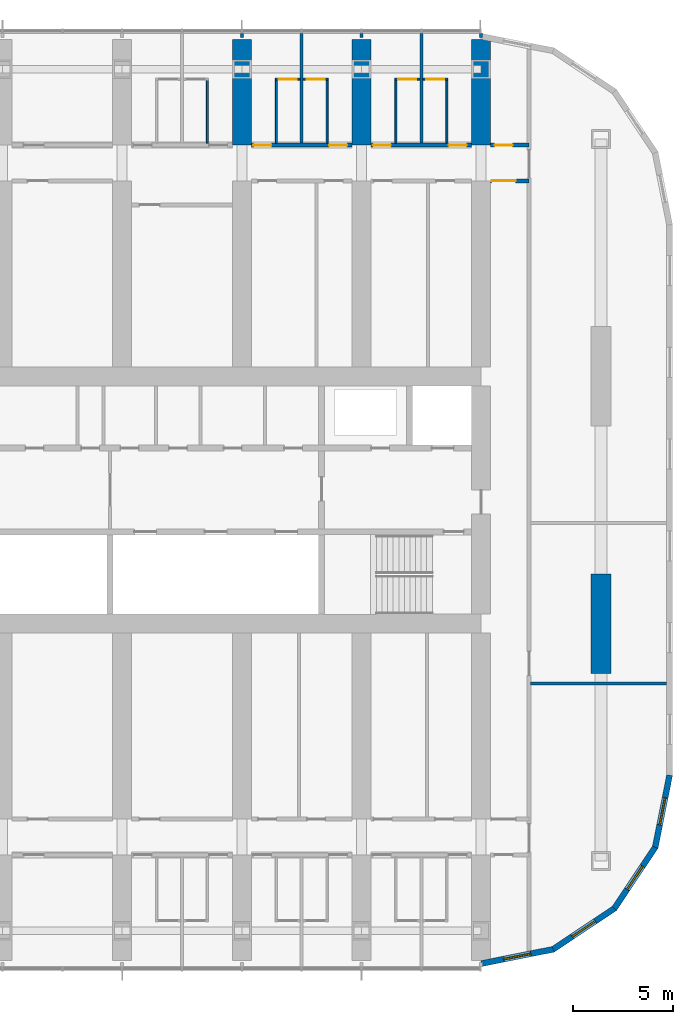
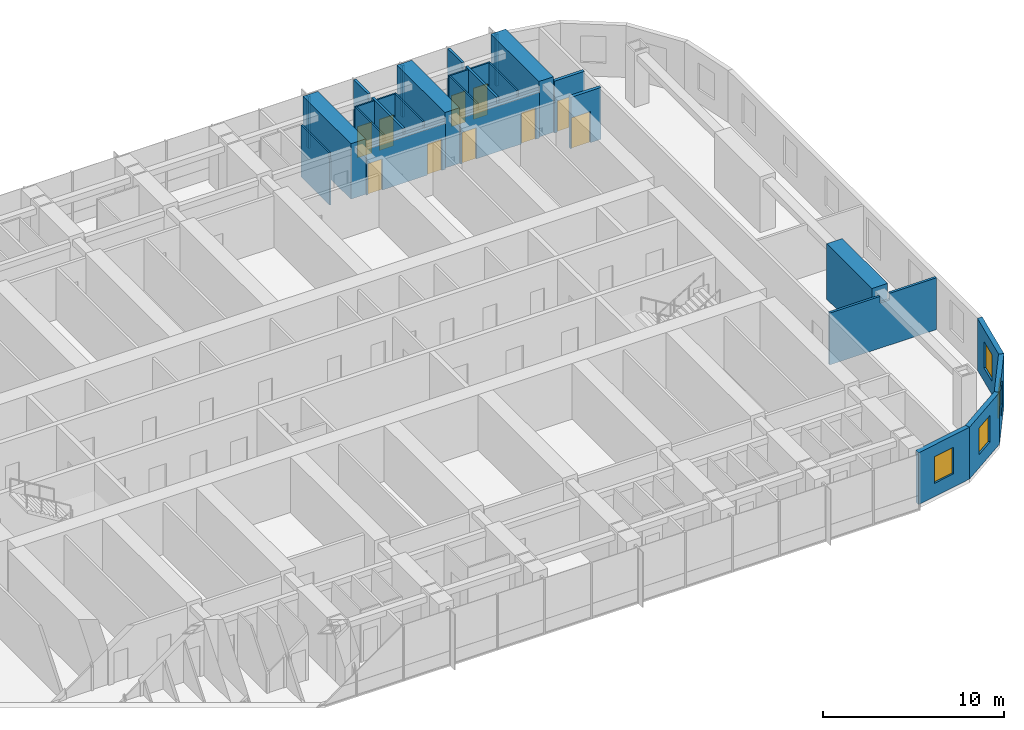
# One storey, part 16 of 22: 27 walls, 10 doors, 4 windows, 14 openings.
"""IFC4 building model written with IfcOpenShell, lengths in metres."""

from ifc_helpers import new_model, si_unit, direction, frame, frame_2d, origin, place, context, subcontext, project, spatial, polyline, rectangle, outline, extrude, material, layer, layer_set, type_object, element, fill, save


model = new_model("IFC4")

# Units and contexts
model_context = context("Model", 3, precision=1e-05, world=origin(), true_north=direction((0.0, 1.0)))
body_context = subcontext(model_context, "Body", "Model", "MODEL_VIEW")
ifc_project = project(units=[si_unit("LENGTHUNIT", "METRE"), si_unit("AREAUNIT", "SQUARE_METRE"), si_unit("VOLUMEUNIT", "CUBIC_METRE"), si_unit("PLANEANGLEUNIT", "RADIAN"), si_unit("MASSUNIT", "GRAM", prefix="KILO")], contexts=[model_context])

# Site, building, storey
site_placement = place(None, origin())
site = spatial("IfcSite", under=ifc_project, at=site_placement, CompositionType="ELEMENT")
building_placement = place(site_placement, origin())
building = spatial("IfcBuilding", under=site, at=building_placement, Name="Orbita Commons", CompositionType="ELEMENT")
storey_placement = place(building_placement, frame((0.0, 0.0, 121.89990234375)))
storey = spatial("IfcBuildingStorey", under=building, at=storey_placement, Name="L30", CompositionType="ELEMENT", Elevation=121.89990234375)

# Wall, openings, doors
ifc_material_1 = material(Name="Concrete blockwork", Category="masonry")
ifc_layer_1 = layer(ifc_material_1, 0.199951171875)
ifc_layer_set_1 = layer_set([ifc_layer_1], Name="Concrete blockwork")
wall_type_1 = type_object("IfcWallType", Name="Corridor wall 200 blockwork", PredefinedType="SOLIDWALL", material=ifc_layer_set_1)
wall_1_placement = place(storey_placement, frame((54.47509765625, 49.800048828125, 0.0), z_axis=(0.0, 0.0, 1.0), x_axis=(1.0, 0.0, 0.0)))
wall_1 = element("IfcWall", 1, at=wall_1_placement, inside=storey, type_object=wall_type_1, Name="Corridor wall 200 blockwork L30", PredefinedType="SOLIDWALL", context=body_context, shape_type="SweptSolid", body=[
    extrude(outline(polyline([(0.0, 0.0), (5.0498046875, 0.0), (5.050048828125, 3.10009765625), (0.0, 3.10009765625), (0.0, 0.0)])), frame((0.0, 0.10009765625, 0.0), z_axis=(0.0, -1.0, 0.0), x_axis=(1.0, 0.0, 0.0)), (0.0, 0.0, 1.0), 0.199951171875),
])
opening_1_placement = place(wall_1_placement, frame((0.10009765625, 0.0, 0.0)))
opening_1 = element("IfcOpeningElement", 2, at=opening_1_placement, cuts=wall_1, Name="Opening D11", PredefinedType="OPENING", context=body_context, shape_type="SweptSolid", body=[
    extrude(rectangle(XDim=0.89990234375, YDim=2.10009765625, at=frame_2d((0.449951171875, 1.050048828125))), frame((0.0, 0.10986328125, 0.0), z_axis=(0.0, -1.0, 0.0), x_axis=(1.0, 0.0, 0.0)), (0.0, 0.0, 1.0), 0.219970703125),
])
opening_2_placement = place(wall_1_placement, frame((3.89990234375, 0.0, 0.0)))
opening_2 = element("IfcOpeningElement", 3, at=opening_2_placement, cuts=wall_1, Name="Opening D11", PredefinedType="OPENING", context=body_context, shape_type="SweptSolid", body=[
    extrude(rectangle(XDim=0.89990234375, YDim=2.10009765625, at=frame_2d((0.449951171875, 1.050048828125))), frame((0.0, 0.10986328125, 0.0), z_axis=(0.0, -1.0, 0.0), x_axis=(1.0, 0.0, 0.0)), (0.0, 0.0, 1.0), 0.219970703125),
])
ifc_material_2 = material(Name="Steel-faced fire door leaf", Category="steel")
door_type_1 = type_object("IfcDoorType", Name="Corridor door 20 min 900x2100", OperationType="SINGLE_SWING_LEFT", PredefinedType="DOOR", material=ifc_material_2)
door_1_placement = place(opening_1_placement, origin())
door_1 = element("IfcDoor", 4, at=door_1_placement, inside=storey, type_object=door_type_1, Name="Cluster bedroom L30-N14 door", OperationType="SINGLE_SWING_LEFT", OverallHeight=2.10009765625, OverallWidth=0.89990234375, PredefinedType="DOOR", context=body_context, shape_type="SweptSolid", body=[
    extrude(rectangle(XDim=0.89990234375, YDim=2.10009765625, at=frame_2d((0.449951171875, 1.050048828125))), frame((0.0, 0.02490234375, 0.0), z_axis=(0.0, -1.0, 0.0), x_axis=(1.0, 0.0, 0.0)), (0.0, 0.0, 1.0), 0.050048828125),
])
fill(opening_1, door_1)
door_2_placement = place(opening_2_placement, origin())
door_2 = element("IfcDoor", 5, at=door_2_placement, inside=storey, type_object=door_type_1, Name="Cluster bedroom L30-N15 door", OperationType="SINGLE_SWING_LEFT", OverallHeight=2.10009765625, OverallWidth=0.89990234375, PredefinedType="DOOR", context=body_context, shape_type="SweptSolid", body=[
    extrude(rectangle(XDim=0.89990234375, YDim=2.10009765625, at=frame_2d((0.449951171875, 1.050048828125))), frame((0.0, 0.02490234375, 0.0), z_axis=(0.0, -1.0, 0.0), x_axis=(1.0, 0.0, 0.0)), (0.0, 0.0, 1.0), 0.050048828125),
])
fill(opening_2, door_2)

wall_2_placement = place(storey_placement, frame((60.47509765625, 49.800048828125, 0.0), z_axis=(0.0, 0.0, 1.0), x_axis=(1.0, 0.0, 0.0)))
wall_2 = element("IfcWall", 6, at=wall_2_placement, inside=storey, type_object=wall_type_1, Name="Corridor wall 200 blockwork L30", PredefinedType="SOLIDWALL", context=body_context, shape_type="SweptSolid", body=[
    extrude(outline(polyline([(0.0, 0.0), (5.0498046875, 0.0), (5.050048828125, 3.10009765625), (0.0, 3.10009765625), (0.0, 0.0)])), frame((0.0, 0.10009765625, 0.0), z_axis=(0.0, -1.0, 0.0), x_axis=(1.0, 0.0, 0.0)), (0.0, 0.0, 1.0), 0.199951171875),
])
opening_3_placement = place(wall_2_placement, frame((0.10009765625, 0.0, 0.0)))
opening_3 = element("IfcOpeningElement", 7, at=opening_3_placement, cuts=wall_2, Name="Opening D11", PredefinedType="OPENING", context=body_context, shape_type="SweptSolid", body=[
    extrude(rectangle(XDim=0.89990234375, YDim=2.10009765625, at=frame_2d((0.449951171875, 1.050048828125))), frame((0.0, 0.10986328125, 0.0), z_axis=(0.0, -1.0, 0.0), x_axis=(1.0, 0.0, 0.0)), (0.0, 0.0, 1.0), 0.219970703125),
])
opening_4_placement = place(wall_2_placement, frame((3.89990234375, 0.0, 0.0)))
opening_4 = element("IfcOpeningElement", 8, at=opening_4_placement, cuts=wall_2, Name="Opening D11", PredefinedType="OPENING", context=body_context, shape_type="SweptSolid", body=[
    extrude(rectangle(XDim=0.89990234375, YDim=2.10009765625, at=frame_2d((0.449951171875, 1.050048828125))), frame((0.0, 0.10986328125, 0.0), z_axis=(0.0, -1.0, 0.0), x_axis=(1.0, 0.0, 0.0)), (0.0, 0.0, 1.0), 0.219970703125),
])
door_3_placement = place(opening_3_placement, origin())
door_3 = element("IfcDoor", 9, at=door_3_placement, inside=storey, type_object=door_type_1, Name="Cluster bedroom L30-N16 door", OperationType="SINGLE_SWING_LEFT", OverallHeight=2.10009765625, OverallWidth=0.89990234375, PredefinedType="DOOR", context=body_context, shape_type="SweptSolid", body=[
    extrude(rectangle(XDim=0.89990234375, YDim=2.10009765625, at=frame_2d((0.449951171875, 1.050048828125))), frame((0.0, 0.02490234375, 0.0), z_axis=(0.0, -1.0, 0.0), x_axis=(1.0, 0.0, 0.0)), (0.0, 0.0, 1.0), 0.050048828125),
])
fill(opening_3, door_3)
door_4_placement = place(opening_4_placement, origin())
door_4 = element("IfcDoor", 10, at=door_4_placement, inside=storey, type_object=door_type_1, Name="Cluster bedroom L30-N17 door", OperationType="SINGLE_SWING_LEFT", OverallHeight=2.10009765625, OverallWidth=0.89990234375, PredefinedType="DOOR", context=body_context, shape_type="SweptSolid", body=[
    extrude(rectangle(XDim=0.89990234375, YDim=2.10009765625, at=frame_2d((0.449951171875, 1.050048828125))), frame((0.0, 0.02490234375, 0.0), z_axis=(0.0, -1.0, 0.0), x_axis=(1.0, 0.0, 0.0)), (0.0, 0.0, 1.0), 0.050048828125),
])
fill(opening_4, door_4)

# Wall, opening, door
wall_3_placement = place(storey_placement, frame((66.47509765625, 49.800048828125, 0.0), z_axis=(0.0, 0.0, 1.0), x_axis=(1.0, 0.0, 0.0)))
wall_3 = element("IfcWall", 11, at=wall_3_placement, inside=storey, type_object=wall_type_1, Name="Corridor wall 200 blockwork L30", PredefinedType="SOLIDWALL", context=body_context, shape_type="SweptSolid", body=[
    extrude(rectangle(XDim=1.9248046875, YDim=0.199951171875, at=frame_2d((0.96240234375, 0.0))), origin(), (0.0, 0.0, 1.0), 3.5),
])
opening_5_placement = place(wall_3_placement, frame((0.199951171875, 0.0, 0.0)))
opening_5 = element("IfcOpeningElement", 12, at=opening_5_placement, cuts=wall_3, Name="Opening D05", PredefinedType="OPENING", context=body_context, shape_type="SweptSolid", body=[
    extrude(rectangle(XDim=0.89990234375, YDim=2.10009765625, at=frame_2d((0.449951171875, 1.050048828125))), frame((0.0, 0.10986328125, 0.0), z_axis=(0.0, -1.0, 0.0), x_axis=(1.0, 0.0, 0.0)), (0.0, 0.0, 1.0), 0.219970703125),
])
ifc_material_3 = material(Name="Steel-faced fire door leaf", Category="steel")
door_type_2 = type_object("IfcDoorType", Name="Service door 20 min 900x2100", OperationType="SINGLE_SWING_LEFT", PredefinedType="DOOR", material=ifc_material_3)
door_5_placement = place(opening_5_placement, origin())
door_5 = element("IfcDoor", 13, at=door_5_placement, inside=storey, type_object=door_type_2, Name="Linen store L30-KEN door", OperationType="SINGLE_SWING_LEFT", OverallHeight=2.10009765625, OverallWidth=0.89990234375, PredefinedType="DOOR", context=body_context, shape_type="SweptSolid", body=[
    extrude(rectangle(XDim=0.89990234375, YDim=2.10009765625, at=frame_2d((0.449951171875, 1.050048828125))), frame((0.0, 0.02490234375, 0.0), z_axis=(0.0, -1.0, 0.0), x_axis=(1.0, 0.0, 0.0)), (0.0, 0.0, 1.0), 0.050048828125),
])
fill(opening_5, door_5)

ifc_material_4 = material(Name="Hollow concrete block 200", Category="concrete")
ifc_layer_2 = layer(ifc_material_4, 0.199951171875)
ifc_layer_set_2 = layer_set([ifc_layer_2], Name="Hollow concrete block 200")
wall_type_2 = type_object("IfcWallType", Name="Corridor wall 200 hollow concrete block", PredefinedType="SOLIDWALL", material=ifc_layer_set_2)
wall_4_placement = place(storey_placement, frame((66.47509765625, 48.0, 0.0), z_axis=(0.0, 0.0, 1.0), x_axis=(1.0, 0.0, 0.0)))
wall_4 = element("IfcWall", 14, at=wall_4_placement, inside=storey, type_object=wall_type_2, Name="Corridor wall 200 hollow concrete block L30", PredefinedType="SOLIDWALL", context=body_context, shape_type="SweptSolid", body=[
    extrude(rectangle(XDim=1.9248046875, YDim=0.199951171875, at=frame_2d((0.96240234375, 0.0))), origin(), (0.0, 0.0, 1.0), 3.5),
])
opening_6_placement = place(wall_4_placement, frame((0.050048828125, 0.0, 0.0)))
opening_6 = element("IfcOpeningElement", 15, at=opening_6_placement, cuts=wall_4, Name="Opening D12", PredefinedType="OPENING", context=body_context, shape_type="SweptSolid", body=[
    extrude(rectangle(XDim=1.199951171875, YDim=2.10009765625, at=frame_2d((0.60009765625, 1.050048828125))), frame((0.0, 0.10986328125, 0.0), z_axis=(0.0, -1.0, 0.0), x_axis=(1.0, 0.0, 0.0)), (0.0, 0.0, 1.0), 0.219970703125),
])
ifc_material_5 = material(Name="Steel-faced fire door leaf", Category="steel")
door_type_3 = type_object("IfcDoorType", Name="Double corridor door 20 min 1200x2100", OperationType="DOUBLE_DOOR_SINGLE_SWING", PredefinedType="DOOR", material=ifc_material_5)
door_6_placement = place(opening_6_placement, origin())
door_6 = element("IfcDoor", 16, at=door_6_placement, inside=storey, type_object=door_type_3, Name="Cross corridor doors", OperationType="DOUBLE_DOOR_SINGLE_SWING", OverallHeight=2.10009765625, OverallWidth=1.199951171875, PredefinedType="DOOR", context=body_context, shape_type="SweptSolid", body=[
    extrude(rectangle(XDim=1.199951171875, YDim=2.10009765625, at=frame_2d((0.60009765625, 1.050048828125))), frame((0.0, 0.02490234375, 0.0), z_axis=(0.0, -1.0, 0.0), x_axis=(1.0, 0.0, 0.0)), (0.0, 0.0, 1.0), 0.050048828125),
])
fill(opening_6, door_6)

# Walls
ifc_material_6 = material(Name="Concrete C50/60", Category="concrete")
ifc_layer_3 = layer(ifc_material_6, 0.949951171875)
ifc_layer_set_3 = layer_set([ifc_layer_3], Name="Concrete C50/60")
wall_type_3 = type_object("IfcWallType", Name="Cross wall 950 C50/60", PredefinedType="SHEAR", material=ifc_layer_set_3)
for number, where, z_axis, x_axis, name in (
    (17, (54.0, 49.800048828125, 0.0), (0.0, 0.0, 1.0), (0.0, 1.0, 0.0), "Cross wall 10 north outer L30"),
    (18, (60.0, 49.800048828125, 0.0), (0.0, 0.0, 1.0), (0.0, 1.0, 0.0), "Cross wall 11 north outer L30"),
    (19, (66.0, 49.800048828125, 0.0), (0.0, 0.0, 1.0), (0.0, 1.0, 0.0), "Cross wall 12 north outer L30"),
):
    element("IfcWall", number, at=place(storey_placement, frame(where, z_axis=z_axis, x_axis=x_axis)), inside=storey, type_object=wall_type_3, Name=name, PredefinedType="SHEAR", context=body_context, shape_type="SweptSolid", body=[
        extrude(rectangle(XDim=5.300048828125, YDim=0.949951171875, at=frame_2d((2.64990234375, 0.0))), origin(), (0.0, 0.0, 1.0), 3.75),
    ])
ifc_material_7 = material(Name="Moisture-resistant plasterboard on steel studs", Category="steel")
ifc_layer_4 = layer(ifc_material_7, 0.10009765625)
ifc_layer_set_4 = layer_set([ifc_layer_4], Name="Moisture-resistant plasterboard on steel studs")
wall_type_4 = type_object("IfcWallType", Name="En-suite partition 100", PredefinedType="PARTITIONING", material=ifc_layer_set_4)
wall_5_placement = place(storey_placement, frame((52.27490234375, 53.050048828125, 0.0), z_axis=(0.0, 0.0, 1.0), x_axis=(0.0, -1.0, 0.0)))
element("IfcWall", 20, at=wall_5_placement, inside=storey, type_object=wall_type_4, Name="En-suite partition 100 L30", PredefinedType="PARTITIONING", context=body_context, shape_type="SweptSolid", body=[
    extrude(outline(polyline([(0.0, 0.0), (3.150146484375, 0.0), (3.14990234375, 3.10009765625), (3.10205078125, 3.10009765625), (3.10009765625, 3.5), (0.0, 3.5), (0.0, 0.0)])), frame((0.0, 0.050048828125, 0.0), z_axis=(0.0, -1.0, 0.0), x_axis=(1.0, 0.0, 0.0)), (0.0, 0.0, 1.0), 0.10009765625),
])

# Wall, opening, door
wall_6_placement = place(storey_placement, frame((55.675048828125, 53.10009765625, 0.0), z_axis=(0.0, 0.0, 1.0), x_axis=(1.0, 0.0, 0.0)))
wall_6 = element("IfcWall", 21, at=wall_6_placement, inside=storey, type_object=wall_type_4, Name="En-suite partition 100 L30", PredefinedType="PARTITIONING", context=body_context, shape_type="SweptSolid", body=[
    extrude(rectangle(XDim=1.25, YDim=0.10009765625, at=frame_2d((0.625, 0.0))), origin(), (0.0, 0.0, 1.0), 3.5),
])
opening_7_placement = place(wall_6_placement, frame((0.175048828125, 0.0, 0.0)))
opening_7 = element("IfcOpeningElement", 22, at=opening_7_placement, cuts=wall_6, Name="Opening D09", PredefinedType="OPENING", context=body_context, shape_type="SweptSolid", body=[
    extrude(rectangle(XDim=0.89990234375, YDim=2.10009765625, at=frame_2d((0.449951171875, 1.050048828125))), frame((0.0, 0.06005859375, 0.0), z_axis=(0.0, -1.0, 0.0), x_axis=(1.0, 0.0, 0.0)), (0.0, 0.0, 1.0), 0.1201171875),
])
ifc_material_8 = material(Name="Laminated timber door leaf", Category="wood")
door_type_4 = type_object("IfcDoorType", Name="En-suite door 900x2100", OperationType="SINGLE_SWING_RIGHT", PredefinedType="DOOR", material=ifc_material_8)
door_7_placement = place(opening_7_placement, origin())
door_7 = element("IfcDoor", 23, at=door_7_placement, inside=storey, type_object=door_type_4, Name="En-suite L30-N14 door", OperationType="SINGLE_SWING_RIGHT", OverallHeight=2.10009765625, OverallWidth=0.89990234375, PredefinedType="DOOR", context=body_context, shape_type="SweptSolid", body=[
    extrude(rectangle(XDim=0.89990234375, YDim=2.10009765625, at=frame_2d((0.449951171875, 1.050048828125))), frame((0.0, 0.02490234375, 0.0), z_axis=(0.0, -1.0, 0.0), x_axis=(1.0, 0.0, 0.0)), (0.0, 0.0, 1.0), 0.050048828125),
])
fill(opening_7, door_7)

# Wall
wall_7_placement = place(storey_placement, frame((55.72509765625, 53.050048828125, 0.0), z_axis=(0.0, 0.0, 1.0), x_axis=(0.0, -1.0, 0.0)))
element("IfcWall", 24, at=wall_7_placement, inside=storey, type_object=wall_type_4, Name="En-suite partition 100 L30", PredefinedType="PARTITIONING", context=body_context, shape_type="SweptSolid", body=[
    extrude(outline(polyline([(0.0, 0.0), (3.150146484375, 0.0), (3.14990234375, 3.10009765625), (3.10205078125, 3.10009765625), (3.10009765625, 3.5), (0.0, 3.5), (0.0, 0.0)])), frame((0.0, 0.050048828125, 0.0), z_axis=(0.0, -1.0, 0.0), x_axis=(1.0, 0.0, 0.0)), (0.0, 0.0, 1.0), 0.10009765625),
])

# Wall, opening, door
wall_8_placement = place(storey_placement, frame((57.074951171875, 53.10009765625, 0.0), z_axis=(0.0, 0.0, 1.0), x_axis=(1.0, 0.0, 0.0)))
wall_8 = element("IfcWall", 25, at=wall_8_placement, inside=storey, type_object=wall_type_4, Name="En-suite partition 100 L30", PredefinedType="PARTITIONING", context=body_context, shape_type="SweptSolid", body=[
    extrude(rectangle(XDim=1.25, YDim=0.10009765625, at=frame_2d((0.625, 0.0))), origin(), (0.0, 0.0, 1.0), 3.5),
])
opening_8_placement = place(wall_8_placement, frame((0.175048828125, 0.0, 0.0)))
opening_8 = element("IfcOpeningElement", 26, at=opening_8_placement, cuts=wall_8, Name="Opening D09", PredefinedType="OPENING", context=body_context, shape_type="SweptSolid", body=[
    extrude(rectangle(XDim=0.89990234375, YDim=2.10009765625, at=frame_2d((0.449951171875, 1.050048828125))), frame((0.0, 0.06005859375, 0.0), z_axis=(0.0, -1.0, 0.0), x_axis=(1.0, 0.0, 0.0)), (0.0, 0.0, 1.0), 0.1201171875),
])
door_8_placement = place(opening_8_placement, origin())
door_8 = element("IfcDoor", 27, at=door_8_placement, inside=storey, type_object=door_type_4, Name="En-suite L30-N15 door", OperationType="SINGLE_SWING_RIGHT", OverallHeight=2.10009765625, OverallWidth=0.89990234375, PredefinedType="DOOR", context=body_context, shape_type="SweptSolid", body=[
    extrude(rectangle(XDim=0.89990234375, YDim=2.10009765625, at=frame_2d((0.449951171875, 1.050048828125))), frame((0.0, 0.02490234375, 0.0), z_axis=(0.0, -1.0, 0.0), x_axis=(1.0, 0.0, 0.0)), (0.0, 0.0, 1.0), 0.050048828125),
])
fill(opening_8, door_8)

# Wall
wall_9_placement = place(storey_placement, frame((58.27490234375, 53.050048828125, 0.0), z_axis=(0.0, 0.0, 1.0), x_axis=(0.0, -1.0, 0.0)))
element("IfcWall", 28, at=wall_9_placement, inside=storey, type_object=wall_type_4, Name="En-suite partition 100 L30", PredefinedType="PARTITIONING", context=body_context, shape_type="SweptSolid", body=[
    extrude(outline(polyline([(0.0, 0.0), (3.150146484375, 0.0), (3.14990234375, 3.10009765625), (3.10205078125, 3.10009765625), (3.10009765625, 3.5), (0.0, 3.5), (0.0, 0.0)])), frame((0.0, 0.050048828125, 0.0), z_axis=(0.0, -1.0, 0.0), x_axis=(1.0, 0.0, 0.0)), (0.0, 0.0, 1.0), 0.10009765625),
])

# Wall, opening, door
wall_10_placement = place(storey_placement, frame((61.675048828125, 53.10009765625, 0.0), z_axis=(0.0, 0.0, 1.0), x_axis=(1.0, 0.0, 0.0)))
wall_10 = element("IfcWall", 29, at=wall_10_placement, inside=storey, type_object=wall_type_4, Name="En-suite partition 100 L30", PredefinedType="PARTITIONING", context=body_context, shape_type="SweptSolid", body=[
    extrude(rectangle(XDim=1.25, YDim=0.10009765625, at=frame_2d((0.625, 0.0))), origin(), (0.0, 0.0, 1.0), 3.5),
])
opening_9_placement = place(wall_10_placement, frame((0.175048828125, 0.0, 0.0)))
opening_9 = element("IfcOpeningElement", 30, at=opening_9_placement, cuts=wall_10, Name="Opening D09", PredefinedType="OPENING", context=body_context, shape_type="SweptSolid", body=[
    extrude(rectangle(XDim=0.89990234375, YDim=2.10009765625, at=frame_2d((0.449951171875, 1.050048828125))), frame((0.0, 0.06005859375, 0.0), z_axis=(0.0, -1.0, 0.0), x_axis=(1.0, 0.0, 0.0)), (0.0, 0.0, 1.0), 0.1201171875),
])
door_9_placement = place(opening_9_placement, origin())
door_9 = element("IfcDoor", 31, at=door_9_placement, inside=storey, type_object=door_type_4, Name="En-suite L30-N16 door", OperationType="SINGLE_SWING_RIGHT", OverallHeight=2.10009765625, OverallWidth=0.89990234375, PredefinedType="DOOR", context=body_context, shape_type="SweptSolid", body=[
    extrude(rectangle(XDim=0.89990234375, YDim=2.10009765625, at=frame_2d((0.449951171875, 1.050048828125))), frame((0.0, 0.02490234375, 0.0), z_axis=(0.0, -1.0, 0.0), x_axis=(1.0, 0.0, 0.0)), (0.0, 0.0, 1.0), 0.050048828125),
])
fill(opening_9, door_9)

# Wall
wall_11_placement = place(storey_placement, frame((61.72509765625, 53.050048828125, 0.0), z_axis=(0.0, 0.0, 1.0), x_axis=(0.0, -1.0, 0.0)))
element("IfcWall", 32, at=wall_11_placement, inside=storey, type_object=wall_type_4, Name="En-suite partition 100 L30", PredefinedType="PARTITIONING", context=body_context, shape_type="SweptSolid", body=[
    extrude(outline(polyline([(0.0, 0.0), (3.150146484375, 0.0), (3.14990234375, 3.10009765625), (3.10205078125, 3.10009765625), (3.10009765625, 3.5), (0.0, 3.5), (0.0, 0.0)])), frame((0.0, 0.050048828125, 0.0), z_axis=(0.0, -1.0, 0.0), x_axis=(1.0, 0.0, 0.0)), (0.0, 0.0, 1.0), 0.10009765625),
])

# Wall, opening, door
wall_12_placement = place(storey_placement, frame((63.074951171875, 53.10009765625, 0.0), z_axis=(0.0, 0.0, 1.0), x_axis=(1.0, 0.0, 0.0)))
wall_12 = element("IfcWall", 33, at=wall_12_placement, inside=storey, type_object=wall_type_4, Name="En-suite partition 100 L30", PredefinedType="PARTITIONING", context=body_context, shape_type="SweptSolid", body=[
    extrude(rectangle(XDim=1.25, YDim=0.10009765625, at=frame_2d((0.625, 0.0))), origin(), (0.0, 0.0, 1.0), 3.5),
])
opening_10_placement = place(wall_12_placement, frame((0.175048828125, 0.0, 0.0)))
opening_10 = element("IfcOpeningElement", 34, at=opening_10_placement, cuts=wall_12, Name="Opening D09", PredefinedType="OPENING", context=body_context, shape_type="SweptSolid", body=[
    extrude(rectangle(XDim=0.89990234375, YDim=2.10009765625, at=frame_2d((0.449951171875, 1.050048828125))), frame((0.0, 0.06005859375, 0.0), z_axis=(0.0, -1.0, 0.0), x_axis=(1.0, 0.0, 0.0)), (0.0, 0.0, 1.0), 0.1201171875),
])
door_10_placement = place(opening_10_placement, origin())
door_10 = element("IfcDoor", 35, at=door_10_placement, inside=storey, type_object=door_type_4, Name="En-suite L30-N17 door", OperationType="SINGLE_SWING_RIGHT", OverallHeight=2.10009765625, OverallWidth=0.89990234375, PredefinedType="DOOR", context=body_context, shape_type="SweptSolid", body=[
    extrude(rectangle(XDim=0.89990234375, YDim=2.10009765625, at=frame_2d((0.449951171875, 1.050048828125))), frame((0.0, 0.02490234375, 0.0), z_axis=(0.0, -1.0, 0.0), x_axis=(1.0, 0.0, 0.0)), (0.0, 0.0, 1.0), 0.050048828125),
])
fill(opening_10, door_10)

# Walls
wall_13_placement = place(storey_placement, frame((64.27490234375, 53.050048828125, 0.0), z_axis=(0.0, 0.0, 1.0), x_axis=(0.0, -1.0, 0.0)))
element("IfcWall", 36, at=wall_13_placement, inside=storey, type_object=wall_type_4, Name="En-suite partition 100 L30", PredefinedType="PARTITIONING", context=body_context, shape_type="SweptSolid", body=[
    extrude(outline(polyline([(0.0, 0.0), (3.150146484375, 0.0), (3.14990234375, 3.10009765625), (3.10205078125, 3.10009765625), (3.10009765625, 3.5), (0.0, 3.5), (0.0, 0.0)])), frame((0.0, 0.050048828125, 0.0), z_axis=(0.0, -1.0, 0.0), x_axis=(1.0, 0.0, 0.0)), (0.0, 0.0, 1.0), 0.10009765625),
])
ifc_material_9 = material(Name="Concrete C50/60", Category="concrete")
ifc_layer_5 = layer(ifc_material_9, 1.0)
ifc_layer_set_5 = layer_set([ifc_layer_5], Name="Concrete C50/60")
wall_type_5 = type_object("IfcWallType", Name="End pier 1000x5000 C50/60", PredefinedType="SHEAR", material=ifc_layer_set_5)
wall_14_placement = place(storey_placement, frame((72.0, 23.300048828125, 0.0), z_axis=(0.0, 0.0, 1.0), x_axis=(0.0, 1.0, 0.0)))
element("IfcWall", 37, at=wall_14_placement, inside=storey, type_object=wall_type_5, Name="End pier 13/C L30", PredefinedType="SHEAR", context=body_context, shape_type="SweptSolid", body=[
    extrude(rectangle(XDim=5.0, YDim=1.0, at=frame_2d((2.5, 0.0))), origin(), (0.0, 0.0, 1.0), 3.75),
])
ifc_material_10 = material(Name="Gypsum plasterboard on steel studs", Category="steel")
ifc_layer_6 = layer(ifc_material_10, 0.14990234375)
ifc_layer_set_6 = layer_set([ifc_layer_6], Name="Gypsum plasterboard on steel studs")
wall_type_6 = type_object("IfcWallType", Name="Partition 150 plasterboard", PredefinedType="PARTITIONING", material=ifc_layer_set_6)
wall_15_placement = place(storey_placement, frame((68.47509765625, 22.800048828125, 0.0), z_axis=(0.0, 0.0, 1.0), x_axis=(1.0, 0.0, 0.0)))
element("IfcWall", 38, at=wall_15_placement, inside=storey, type_object=wall_type_6, Name="Partition 150 plasterboard L30", PredefinedType="PARTITIONING", context=body_context, shape_type="SweptSolid", body=[
    extrude(outline(polyline([(0.0, 0.0), (6.81982421875, 0.0), (6.820068359375, 3.5), (3.826904296875, 3.5), (3.824951171875, 3.050048828125), (3.22705078125, 3.050048828125), (3.22509765625, 3.5), (0.0, 3.5), (0.0, 0.0)])), frame((0.0, 0.074951171875, 0.0), z_axis=(0.0, -1.0, 0.0), x_axis=(1.0, 0.0, 0.0)), (0.0, 0.0, 1.0), 0.14990234375),
])
for number, where, z_axis, x_axis, name in (
    (39, (54.0, 55.199951171875, 0.0), (0.0, 0.0, 1.0), (0.0, 1.0, 0.0), "Partition 150 plasterboard L30"),
    (40, (60.0, 55.199951171875, 0.0), (0.0, 0.0, 1.0), (0.0, 1.0, 0.0), "Partition 150 plasterboard L30"),
):
    element("IfcWall", number, at=place(storey_placement, frame(where, z_axis=z_axis, x_axis=x_axis)), inside=storey, type_object=wall_type_6, Name=name, PredefinedType="PARTITIONING", context=body_context, shape_type="SweptSolid", body=[
        extrude(rectangle(XDim=0.18994140625, YDim=0.14990234375, at=frame_2d((0.094970703125, 0.0))), origin(), (0.0, 0.0, 1.0), 3.5),
    ])
wall_16_placement = place(storey_placement, frame((66.0, 55.199951171875, 0.0), z_axis=(0.0, 0.0, 1.0), x_axis=(0.0, 1.0, 0.0)))
element("IfcWall", 41, at=wall_16_placement, inside=storey, type_object=wall_type_6, Name="Partition 150 plasterboard L30", PredefinedType="PARTITIONING", context=body_context, shape_type="SweptSolid", body=[
    extrude(rectangle(XDim=0.219970703125, YDim=0.14990234375, at=frame_2d((0.10986328125, 0.0))), origin(), (0.0, 0.0, 1.0), 3.5),
])
ifc_material_11 = material(Name="Gypsum plasterboard on steel studs", Category="steel")
ifc_layer_7 = layer(ifc_material_11, 0.14990234375)
ifc_layer_set_7 = layer_set([ifc_layer_7], Name="Gypsum plasterboard on steel studs")
wall_type_7 = type_object("IfcWallType", Name="Party wall 150 plasterboard", PredefinedType="PARTITIONING", material=ifc_layer_set_7)
for number, where, z_axis, x_axis, name in (
    (42, (57.0, 55.389892578125, 0.0), (0.0, 0.0, 1.0), (0.0, -1.0, 0.0), "Party wall 150 plasterboard L30"),
    (43, (63.0, 55.389892578125, 0.0), (0.0, 0.0, 1.0), (0.0, -1.0, 0.0), "Party wall 150 plasterboard L30"),
):
    element("IfcWall", number, at=place(storey_placement, frame(where, z_axis=z_axis, x_axis=x_axis)), inside=storey, type_object=wall_type_7, Name=name, PredefinedType="PARTITIONING", context=body_context, shape_type="SweptSolid", body=[
        extrude(outline(polyline([(0.0, 0.0), (5.489990234375, 0.0), (5.489990234375, 3.10009765625), (5.44189453125, 3.10009765625), (5.43994140625, 3.5), (1.991943359375, 3.5), (1.989990234375, 3.10009765625), (1.592041015625, 3.10009765625), (1.590087890625, 3.5), (0.0, 3.5), (0.0, 0.0)])), frame((0.0, 0.074951171875, 0.0), z_axis=(0.0, -1.0, 0.0), x_axis=(1.0, 0.0, 0.0)), (0.0, 0.0, 1.0), 0.14990234375),
    ])

# Wall, opening, window
ifc_material_12 = material(Name="Precast concrete C40/50, white board-marked finish", Category="concrete")
ifc_layer_8 = layer(ifc_material_12, 0.300048828125)
ifc_layer_set_8 = layer_set([ifc_layer_8], Name="Precast concrete C40/50, white board-marked finish")
wall_type_8 = type_object("IfcWallType", Name="Precast concrete end shield 300", PredefinedType="SOLIDWALL", material=ifc_layer_set_8)
wall_17_placement = place(storey_placement, frame((66.0, 8.75, 0.0), z_axis=(0.0, 0.0, 1.0), x_axis=(0.980791473772, 0.195059183267, 0.0)))
wall_17 = element("IfcWall", 44, at=wall_17_placement, inside=storey, type_object=wall_type_8, Name="End shield SE chord 1 L30", PredefinedType="SOLIDWALL", context=body_context, shape_type="SweptSolid", body=[
    extrude(outline(polyline([(-0.02978515625, -0.14990234375), (3.717041015625, -0.14990234375), (3.657470703125, 0.14990234375), (0.02978515625, 0.14990234375), (-0.02978515625, -0.14990234375)])), origin(), (0.0, 0.0, 1.0), 3.5),
])
opening_11_placement = place(wall_17_placement, frame((1.1435546875, 0.0, 0.89990234375)))
opening_11 = element("IfcOpeningElement", 45, at=opening_11_placement, cuts=wall_17, Name="Opening W02", PredefinedType="OPENING", context=body_context, shape_type="SweptSolid", body=[
    extrude(rectangle(XDim=1.39990234375, YDim=1.800048828125, at=frame_2d((0.699951171875, 0.89990234375))), frame((0.0, 0.159912109375, 0.0), z_axis=(0.0, -1.0, 0.0), x_axis=(1.0, 0.0, 0.0)), (0.0, 0.0, 1.0), 0.320068359375),
])
ifc_material_13 = material(Name="Aluminium frame, clear double glazing", Category="aluminium")
window_type = type_object("IfcWindowType", Name="Deep-set window 1400x1800", PartitioningType="SINGLE_PANEL", PredefinedType="WINDOW", material=ifc_material_13)
window_1_placement = place(opening_11_placement, origin())
window_1 = element("IfcWindow", 46, at=window_1_placement, inside=storey, type_object=window_type, Name="Window L30-SE0", OverallHeight=1.800048828125, OverallWidth=1.39990234375, PartitioningType="SINGLE_PANEL", PredefinedType="WINDOW", context=body_context, shape_type="SweptSolid", body=[
    extrude(rectangle(XDim=1.39990234375, YDim=1.800048828125, at=frame_2d((0.699951171875, 0.89990234375))), frame((0.0, 0.030029296875, 0.0), z_axis=(0.0, -1.0, 0.0), x_axis=(1.0, 0.0, 0.0)), (0.0, 0.0, 1.0), 0.06005859375),
])
fill(opening_11, window_1)

wall_18_placement = place(storey_placement, frame((69.616455078125, 9.46923828125, 0.0), z_axis=(0.0, 0.0, 1.0), x_axis=(0.831448786846, 0.555601399253, 0.0)))
wall_18 = element("IfcWall", 47, at=wall_18_placement, inside=storey, type_object=wall_type_8, Name="End shield SE chord 2 L30", PredefinedType="SOLIDWALL", context=body_context, shape_type="SweptSolid", body=[
    extrude(outline(polyline([(-0.02978515625, -0.14990234375), (3.717041015625, -0.14990234375), (3.657470703125, 0.14990234375), (0.02978515625, 0.14990234375), (-0.02978515625, -0.14990234375)])), origin(), (0.0, 0.0, 1.0), 3.5),
])
opening_12_placement = place(wall_18_placement, frame((1.1435546875, 0.0, 0.89990234375)))
opening_12 = element("IfcOpeningElement", 48, at=opening_12_placement, cuts=wall_18, Name="Opening W02", PredefinedType="OPENING", context=body_context, shape_type="SweptSolid", body=[
    extrude(rectangle(XDim=1.39990234375, YDim=1.800048828125, at=frame_2d((0.699951171875, 0.89990234375))), frame((0.0, 0.159912109375, 0.0), z_axis=(0.0, -1.0, 0.0), x_axis=(1.0, 0.0, 0.0)), (0.0, 0.0, 1.0), 0.320068359375),
])
window_2_placement = place(opening_12_placement, origin())
window_2 = element("IfcWindow", 49, at=window_2_placement, inside=storey, type_object=window_type, Name="Window L30-SE1", OverallHeight=1.800048828125, OverallWidth=1.39990234375, PartitioningType="SINGLE_PANEL", PredefinedType="WINDOW", context=body_context, shape_type="SweptSolid", body=[
    extrude(rectangle(XDim=1.39990234375, YDim=1.800048828125, at=frame_2d((0.699951171875, 0.89990234375))), frame((0.0, 0.030029296875, 0.0), z_axis=(0.0, -1.0, 0.0), x_axis=(1.0, 0.0, 0.0)), (0.0, 0.0, 1.0), 0.06005859375),
])
fill(opening_12, window_2)

wall_19_placement = place(storey_placement, frame((72.68212890625, 11.517822265625, 0.0), z_axis=(0.0, 0.0, 1.0), x_axis=(0.555601399253, 0.831448786846, 0.0)))
wall_19 = element("IfcWall", 50, at=wall_19_placement, inside=storey, type_object=wall_type_8, Name="End shield SE chord 3 L30", PredefinedType="SOLIDWALL", context=body_context, shape_type="SweptSolid", body=[
    extrude(outline(polyline([(-0.02978515625, -0.14990234375), (3.717041015625, -0.14990234375), (3.657470703125, 0.14990234375), (0.02978515625, 0.14990234375), (-0.02978515625, -0.14990234375)])), origin(), (0.0, 0.0, 1.0), 3.5),
])
opening_13_placement = place(wall_19_placement, frame((1.1435546875, 0.0, 0.89990234375)))
opening_13 = element("IfcOpeningElement", 51, at=opening_13_placement, cuts=wall_19, Name="Opening W02", PredefinedType="OPENING", context=body_context, shape_type="SweptSolid", body=[
    extrude(rectangle(XDim=1.39990234375, YDim=1.800048828125, at=frame_2d((0.699951171875, 0.89990234375))), frame((0.0, 0.159912109375, 0.0), z_axis=(0.0, -1.0, 0.0), x_axis=(1.0, 0.0, 0.0)), (0.0, 0.0, 1.0), 0.320068359375),
])
window_3_placement = place(opening_13_placement, origin())
window_3 = element("IfcWindow", 52, at=window_3_placement, inside=storey, type_object=window_type, Name="Window L30-SE2", OverallHeight=1.800048828125, OverallWidth=1.39990234375, PartitioningType="SINGLE_PANEL", PredefinedType="WINDOW", context=body_context, shape_type="SweptSolid", body=[
    extrude(rectangle(XDim=1.39990234375, YDim=1.800048828125, at=frame_2d((0.699951171875, 0.89990234375))), frame((0.0, 0.030029296875, 0.0), z_axis=(0.0, -1.0, 0.0), x_axis=(1.0, 0.0, 0.0)), (0.0, 0.0, 1.0), 0.06005859375),
])
fill(opening_13, window_3)

wall_20_placement = place(storey_placement, frame((74.730712890625, 14.58349609375, 0.0), z_axis=(0.0, 0.0, 1.0), x_axis=(0.195059183267, 0.980791473772, 0.0)))
wall_20 = element("IfcWall", 53, at=wall_20_placement, inside=storey, type_object=wall_type_8, Name="End shield SE chord 4 L30", PredefinedType="SOLIDWALL", context=body_context, shape_type="SweptSolid", body=[
    extrude(outline(polyline([(-0.02978515625, -0.14990234375), (3.7021484375, -0.14990234375), (3.67236328125, 0.14990234375), (0.02978515625, 0.14990234375), (-0.02978515625, -0.14990234375)])), origin(), (0.0, 0.0, 1.0), 3.5),
])
opening_14_placement = place(wall_20_placement, frame((1.1435546875, 0.0, 0.89990234375)))
opening_14 = element("IfcOpeningElement", 54, at=opening_14_placement, cuts=wall_20, Name="Opening W02", PredefinedType="OPENING", context=body_context, shape_type="SweptSolid", body=[
    extrude(rectangle(XDim=1.39990234375, YDim=1.800048828125, at=frame_2d((0.699951171875, 0.89990234375))), frame((0.0, 0.159912109375, 0.0), z_axis=(0.0, -1.0, 0.0), x_axis=(1.0, 0.0, 0.0)), (0.0, 0.0, 1.0), 0.320068359375),
])
window_4_placement = place(opening_14_placement, origin())
window_4 = element("IfcWindow", 55, at=window_4_placement, inside=storey, type_object=window_type, Name="Window L30-SE3", OverallHeight=1.800048828125, OverallWidth=1.39990234375, PartitioningType="SINGLE_PANEL", PredefinedType="WINDOW", context=body_context, shape_type="SweptSolid", body=[
    extrude(rectangle(XDim=1.39990234375, YDim=1.800048828125, at=frame_2d((0.699951171875, 0.89990234375))), frame((0.0, 0.030029296875, 0.0), z_axis=(0.0, -1.0, 0.0), x_axis=(1.0, 0.0, 0.0)), (0.0, 0.0, 1.0), 0.06005859375),
])
fill(opening_14, window_4)

save(model, "model.ifc")
